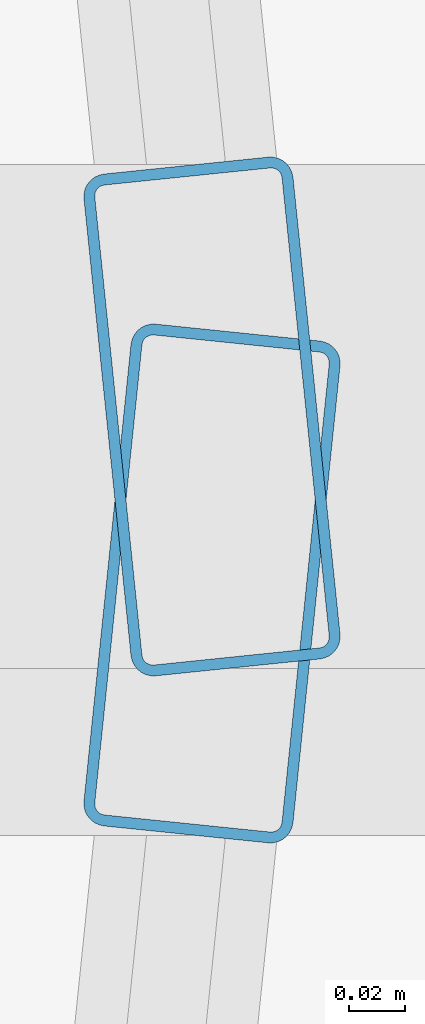
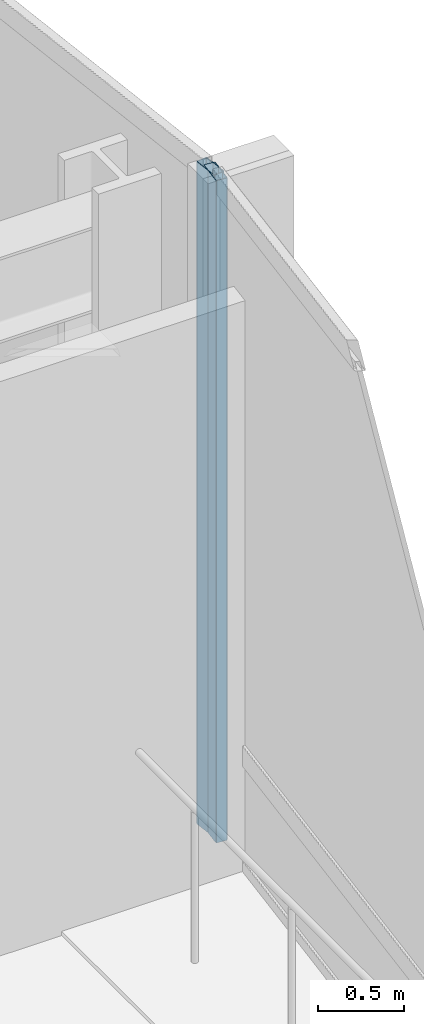
# One storey, part 27 of 39: 2 members, 2 elements without a shape of their own.
"""IFC4 building model written with IfcOpenShell, lengths in metres."""

from ifc_helpers import new_model, si_unit, direction, frame, origin, origin_2d, place, context, subcontext, project, spatial, hollow_rectangle, extrude, material, layer, layer_set, material_profile, profile_set, type_object, element, aggregate, save


model = new_model("IFC4")

# Units and contexts
model_context = context("Model", 3, precision=1e-05, world=origin(), true_north=direction((0.0, 1.0)))
body_context = subcontext(model_context, "Body", "Model", "MODEL_VIEW")
ifc_project = project(units=[si_unit("LENGTHUNIT", "METRE"), si_unit("AREAUNIT", "SQUARE_METRE"), si_unit("VOLUMEUNIT", "CUBIC_METRE"), si_unit("PLANEANGLEUNIT", "RADIAN"), si_unit("MASSUNIT", "GRAM", prefix="KILO")], contexts=[model_context])

# Site, building, storey
site_placement = place(None, origin())
site = spatial("IfcSite", under=ifc_project, at=site_placement, CompositionType="ELEMENT")
building_placement = place(site_placement, origin())
building = spatial("IfcBuilding", under=site, at=building_placement, Name="Solvaryn Broadcast Tower", CompositionType="ELEMENT")
storey_placement = place(building_placement, frame((0.0, 0.0, 84.10009765625)))
storey = spatial("IfcBuildingStorey", under=building, at=storey_placement, Name="L20", CompositionType="ELEMENT", Elevation=84.10009765625)

# Curtain wall, member
ifc_material_1 = material(Name="Aluminium and Terracotta Unitised Curtain Wall", Category="masonry")
ifc_layer = layer(ifc_material_1, 0.25)
ifc_layer_set = layer_set([ifc_layer], Name="CW-SYS4-SKYGARDEN")
curtain_wall_type = type_object("IfcCurtainWallType", Name="CW-SYS4-SKYGARDEN", PredefinedType="NOTDEFINED", material=ifc_layer_set)
curtain_wall_1_placement = place(storey_placement, origin())
curtain_wall_1 = element("IfcCurtainWall", 1, at=curtain_wall_1_placement, inside=storey, type_object=curtain_wall_type, Name="L20 Curtain Wall ET1", PredefinedType="NOTDEFINED")
ifc_material_2 = material(Name="Anodised Aluminium 6063-T6", Category="aluminium")
ifc_material_profile = material_profile(ifc_material_2, hollow_rectangle(XDim=0.074951171875, YDim=0.179931640625, WallThickness=0.00390625, InnerFilletRadius=0.00390625, OuterFilletRadius=0.008056640625, at=origin_2d()))
ifc_profile_set = profile_set([ifc_material_profile], Name="Anodised Aluminium 6063-T6")
member_type = type_object("IfcMemberType", Name="CW-MUL-180", PredefinedType="MULLION", material=ifc_profile_set)
member_1_placement = place(storey_placement, frame((63.697021484375, 18.02978515625, 0.0), z_axis=(0.0, 0.0, 1.0), x_axis=(0.99474329889, 0.10240004548, 0.0)))
member_1 = element("IfcMember", 2, at=member_1_placement, type_object=member_type, Name="CWS4 mullion 2", PredefinedType="MULLION", context=body_context, shape_type="SweptSolid", body=[
    extrude(hollow_rectangle(XDim=0.074951171875, YDim=0.179931640625, WallThickness=0.00390625, InnerFilletRadius=0.00390625, OuterFilletRadius=0.008056640625, at=origin_2d()), origin(), (0.0, 0.0, 1.0), 4.719970703125),
])
aggregate(curtain_wall_1, [member_1])

curtain_wall_2_placement = place(storey_placement, origin())
curtain_wall_2 = element("IfcCurtainWall", 3, at=curtain_wall_2_placement, inside=storey, type_object=curtain_wall_type, Name="L20 Curtain Wall ET2", PredefinedType="NOTDEFINED")
member_2_placement = place(storey_placement, frame((63.697021484375, 17.97021484375, 0.0), z_axis=(0.0, 0.0, 1.0), x_axis=(0.99474329889, -0.10240004548, 0.0)))
member_2 = element("IfcMember", 4, at=member_2_placement, type_object=member_type, Name="CWS4 mullion 1", PredefinedType="MULLION", context=body_context, shape_type="SweptSolid", body=[
    extrude(hollow_rectangle(XDim=0.074951171875, YDim=0.179931640625, WallThickness=0.00390625, InnerFilletRadius=0.00390625, OuterFilletRadius=0.008056640625, at=origin_2d()), origin(), (0.0, 0.0, 1.0), 4.719970703125),
])
aggregate(curtain_wall_2, [member_2])

save(model, "model.ifc")
